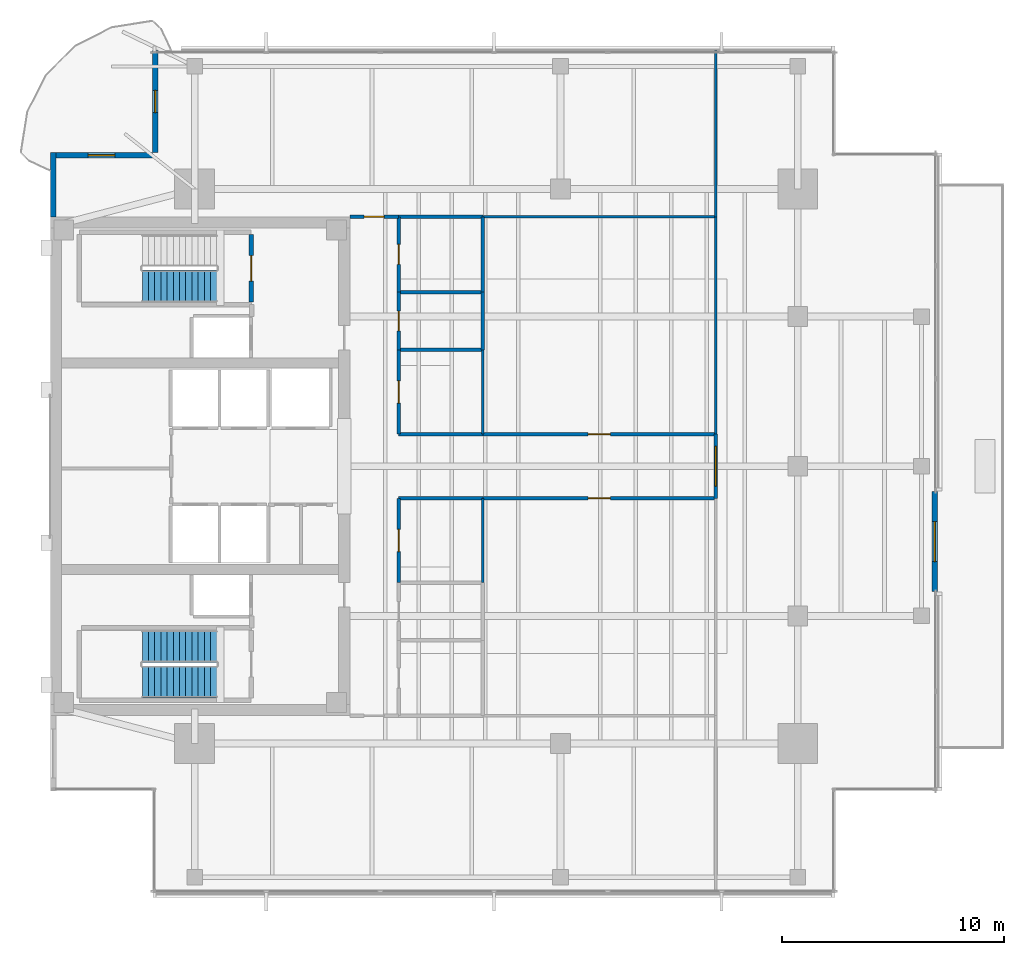
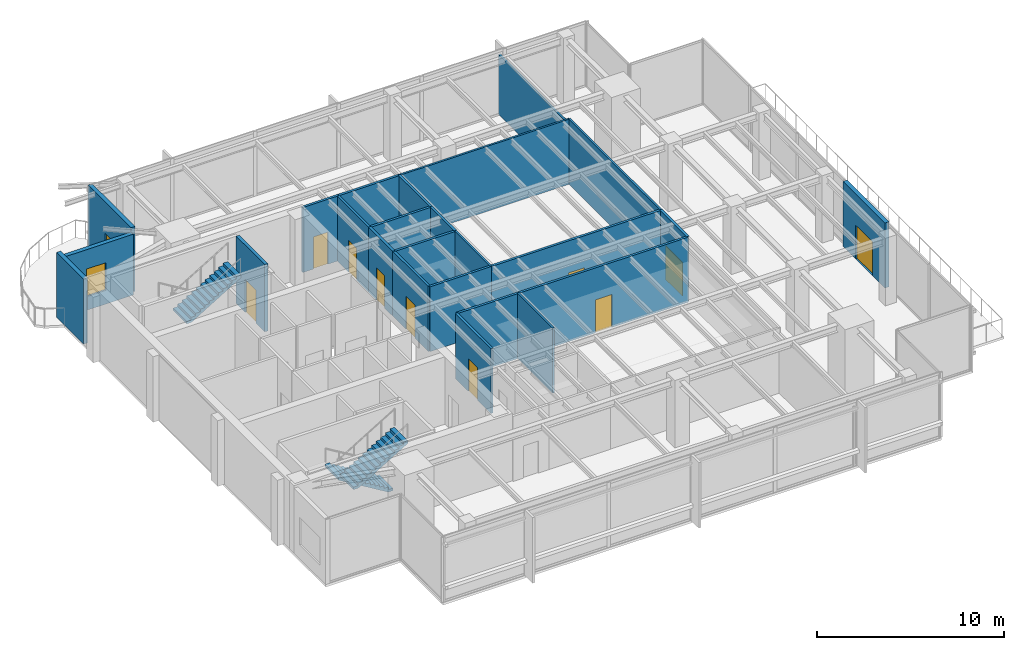
# One storey, part 9 of 14: 25 walls, 11 doors, 3 stair flights, 1 window, 12 openings, 2 elements without a shape of their own.
"""IFC4 building model written with IfcOpenShell, lengths in metres."""

from ifc_helpers import new_model, si_unit, direction, frame, frame_2d, origin, place, context, subcontext, project, spatial, polyline, rectangle, outline, extrude, material, layer, layer_set, type_object, element, fill, aggregate, save


model = new_model("IFC4")

# Units and contexts
model_context = context("Model", 3, precision=1e-05, world=origin(), true_north=direction((0.0, 1.0)))
body_context = subcontext(model_context, "Body", "Model", "MODEL_VIEW")
ifc_project = project(units=[si_unit("LENGTHUNIT", "METRE"), si_unit("AREAUNIT", "SQUARE_METRE"), si_unit("VOLUMEUNIT", "CUBIC_METRE"), si_unit("PLANEANGLEUNIT", "RADIAN"), si_unit("MASSUNIT", "GRAM", prefix="KILO")], contexts=[model_context])

# Site, building, storey
site_placement = place(None, origin())
site = spatial("IfcSite", under=ifc_project, at=site_placement, CompositionType="ELEMENT")
building_placement = place(site_placement, origin())
building = spatial("IfcBuilding", under=site, at=building_placement, Name="Kinhvarn Gate Tower", CompositionType="ELEMENT")
storey_placement = place(building_placement, frame((0.0, 0.0, 244.85009765625)))
storey = spatial("IfcBuildingStorey", under=building, at=storey_placement, Name="L65", CompositionType="ELEMENT", Elevation=244.85009765625)

# Wall
ifc_material_1 = material(Name="Fired architectural terracotta", Category="masonry")
ifc_layer_1 = layer(ifc_material_1, 0.25)
ifc_layer_set_1 = layer_set([ifc_layer_1], Name="Fired architectural terracotta")
wall_type_1 = type_object("IfcWallType", Name="WL-EXT-250", PredefinedType="SOLIDWALL", material=ifc_layer_set_1)
wall_1_placement = place(storey_placement, frame((4.625, 39.39990234375, 0.0), z_axis=(0.0, 0.0, 1.0), x_axis=(0.0, -1.0, 0.0)))
element("IfcWall", 1, at=wall_1_placement, inside=storey, type_object=wall_type_1, Name="Exterior Solidwall Wall EW-250 (L65 West-North)", PredefinedType="SOLIDWALL", context=body_context, shape_type="SweptSolid", body=[
    extrude(rectangle(XDim=2.89990234375, YDim=0.25, at=frame_2d((1.449951171875, 0.0))), origin(), (0.0, 0.0, 1.0), 4.239990234375),
])

# Wall, opening, door
wall_2_placement = place(storey_placement, frame((44.375, 19.60009765625, 0.0), z_axis=(0.0, 0.0, 1.0), x_axis=(0.0, 1.0, 0.0)))
wall_2 = element("IfcWall", 2, at=wall_2_placement, inside=storey, type_object=wall_type_1, Name="Exterior Solidwall Wall EW-250 (L65 Setback-Terrace-Access)", PredefinedType="SOLIDWALL", context=body_context, shape_type="SweptSolid", body=[
    extrude(rectangle(XDim=4.5, YDim=0.25, at=frame_2d((2.25, 0.0))), origin(), (0.0, 0.0, 1.0), 4.239990234375),
])
opening_1_placement = place(wall_2_placement, frame((1.35009765625, 0.0, 0.0)))
opening_1 = element("IfcOpeningElement", 3, at=opening_1_placement, cuts=wall_2, Name="Opening TD-01", PredefinedType="OPENING", context=body_context, shape_type="SweptSolid", body=[
    extrude(rectangle(XDim=1.800048828125, YDim=2.199951171875, at=frame_2d((0.89990234375, 1.10009765625))), frame((0.0, 0.135009765625, 0.0), z_axis=(0.0, -1.0, 0.0), x_axis=(1.0, 0.0, 0.0)), (0.0, 0.0, 1.0), 0.27001953125),
])
ifc_material_2 = material(Name="Clear low-e double glazing", Category="glass")
door_type_1 = type_object("IfcDoorType", Name="DR-TER-1800", OperationType="NOTDEFINED", PredefinedType="DOOR", material=ifc_material_2)
door_1_placement = place(opening_1_placement, frame((1.800048828125, 0.0, 0.0), z_axis=(0.0, 0.0, 1.0), x_axis=(-1.0, 0.0, 0.0)))
door_1 = element("IfcDoor", 4, at=door_1_placement, inside=storey, type_object=door_type_1, Name="Setback Terrace Double Door TD-01 (L65)", OperationType="DOUBLE_DOOR_SINGLE_SWING", OverallHeight=2.199951171875, OverallWidth=1.800048828125, PredefinedType="DOOR", context=body_context, shape_type="SweptSolid", body=[
    extrude(rectangle(XDim=1.800048828125, YDim=2.199951171875, at=frame_2d((0.89990234375, 1.10009765625))), frame((0.0, 0.02490234375, 0.0), z_axis=(0.0, -1.0, 0.0), x_axis=(1.0, 0.0, 0.0)), (0.0, 0.0, 1.0), 0.050048828125),
])
fill(opening_1, door_1)

wall_3_placement = place(storey_placement, frame((9.22509765625, 44.0, 0.0), z_axis=(0.0, 0.0, 1.0), x_axis=(0.0, -1.0, 0.0)))
wall_3 = element("IfcWall", 5, at=wall_3_placement, inside=storey, type_object=wall_type_1, Name="Exterior Solidwall Wall EW-250 (L65 NW-Notch-Door)", PredefinedType="SOLIDWALL", context=body_context, shape_type="SweptSolid", body=[
    extrude(rectangle(XDim=4.60009765625, YDim=0.25, at=frame_2d((2.300048828125, 0.0))), origin(), (0.0, 0.0, 1.0), 4.239990234375),
])
opening_2_placement = place(wall_3_placement, frame((1.800048828125, 0.0, 0.0)))
opening_2 = element("IfcOpeningElement", 6, at=opening_2_placement, cuts=wall_3, Name="Opening BD-01", PredefinedType="OPENING", context=body_context, shape_type="SweptSolid", body=[
    extrude(rectangle(XDim=1.0, YDim=2.199951171875, at=frame_2d((0.5, 1.10009765625))), frame((0.0, 0.135009765625, 0.0), z_axis=(0.0, -1.0, 0.0), x_axis=(1.0, 0.0, 0.0)), (0.0, 0.0, 1.0), 0.27001953125),
])
door_type_2 = type_object("IfcDoorType", Name="DR-BAL-1000", OperationType="NOTDEFINED", PredefinedType="DOOR", material=ifc_material_2)
door_2_placement = place(opening_2_placement, frame((1.0, 0.0, 0.0), z_axis=(0.0, 0.0, 1.0), x_axis=(-1.0, 0.0, 0.0)))
door_2 = element("IfcDoor", 7, at=door_2_placement, inside=storey, type_object=door_type_2, Name="S-Carve Balcony Door BD-01 (L65)", OperationType="SINGLE_SWING_RIGHT", OverallHeight=2.199951171875, OverallWidth=1.0, PredefinedType="DOOR", context=body_context, shape_type="SweptSolid", body=[
    extrude(rectangle(XDim=1.0, YDim=2.199951171875, at=frame_2d((0.5, 1.10009765625))), frame((0.0, 0.02490234375, 0.0), z_axis=(0.0, -1.0, 0.0), x_axis=(1.0, 0.0, 0.0)), (0.0, 0.0, 1.0), 0.050048828125),
])
fill(opening_2, door_2)

# Wall, opening, window
wall_4_placement = place(storey_placement, frame((9.10009765625, 39.27490234375, 0.0), z_axis=(0.0, 0.0, 1.0), x_axis=(-1.0, 0.0, 0.0)))
wall_4 = element("IfcWall", 8, at=wall_4_placement, inside=storey, type_object=wall_type_1, Name="Exterior Solidwall Wall EW-250 (L65 NW-Notch-Win)", PredefinedType="SOLIDWALL", context=body_context, shape_type="SweptSolid", body=[
    extrude(rectangle(XDim=4.60009765625, YDim=0.25, at=frame_2d((2.300048828125, 0.0))), origin(), (0.0, 0.0, 1.0), 3.969970703125),
])
opening_3_placement = place(wall_4_placement, frame((1.699951171875, 0.0, 0.89990234375)))
opening_3 = element("IfcOpeningElement", 9, at=opening_3_placement, cuts=wall_4, Name="Opening WN-02", PredefinedType="OPENING", context=body_context, shape_type="SweptSolid", body=[
    extrude(rectangle(XDim=1.199951171875, YDim=1.800048828125, at=frame_2d((0.60009765625, 0.89990234375))), frame((0.0, 0.135009765625, 0.0), z_axis=(0.0, -1.0, 0.0), x_axis=(1.0, 0.0, 0.0)), (0.0, 0.0, 1.0), 0.27001953125),
])
window_type = type_object("IfcWindowType", Name="WIN-NTC-1200", PartitioningType="SINGLE_PANEL", PredefinedType="WINDOW", material=ifc_material_2)
window_placement = place(opening_3_placement, origin())
window = element("IfcWindow", 10, at=window_placement, inside=storey, type_object=window_type, Name="Recessed Corner Notch Punched Window 1200x1800 mm (L65)", OverallHeight=1.800048828125, OverallWidth=1.199951171875, PartitioningType="SINGLE_PANEL", PredefinedType="WINDOW", context=body_context, shape_type="SweptSolid", body=[
    extrude(rectangle(XDim=1.199951171875, YDim=1.800048828125, at=frame_2d((0.60009765625, 0.89990234375))), frame((0.0, 0.030029296875, 0.0), z_axis=(0.0, -1.0, 0.0), x_axis=(1.0, 0.0, 0.0)), (0.0, 0.0, 1.0), 0.06005859375),
])
fill(opening_3, window)

# Walls
ifc_material_3 = material(Name="Gypsum acoustic partition board")
ifc_layer_2 = layer(ifc_material_3, 0.14990234375)
ifc_layer_set_2 = layer_set([ifc_layer_2], Name="Gypsum acoustic partition board")
wall_type_2 = type_object("IfcWallType", Name="WL-PLM-150", PredefinedType="PLUMBINGWALL", material=ifc_layer_set_2)
for number, where, z_axis, x_axis, name in (
    (11, (20.199951171875, 33.10009765625, 0.0), (0.0, 0.0, 1.0), (1.0, 0.0, 0.0), "Interior Partition PLW-150 (L65)"),
    (12, (20.199951171875, 36.5, 0.0), (0.0, 0.0, 1.0), (1.0, 0.0, 0.0), "Interior Partition PLW-150 (L65)"),
):
    element("IfcWall", number, at=place(storey_placement, frame(where, z_axis=z_axis, x_axis=x_axis)), inside=storey, type_object=wall_type_2, Name=name, PredefinedType="PLUMBINGWALL", context=body_context, shape_type="SweptSolid", body=[
        extrude(rectangle(XDim=3.800048828125, YDim=0.14990234375, at=frame_2d((1.89990234375, 0.0))), origin(), (0.0, 0.0, 1.0), 4.239990234375),
    ])
wall_5_placement = place(storey_placement, frame((24.0, 33.10009765625, 0.0), z_axis=(0.0, 0.0, 1.0), x_axis=(0.0, 1.0, 0.0)))
element("IfcWall", 13, at=wall_5_placement, inside=storey, type_object=wall_type_2, Name="Interior Partition PLW-150 (L65)", PredefinedType="PLUMBINGWALL", context=body_context, shape_type="SweptSolid", body=[
    extrude(rectangle(XDim=3.39990234375, YDim=0.14990234375, at=frame_2d((1.699951171875, 0.0))), origin(), (0.0, 0.0, 1.0), 4.239990234375),
])
wall_6_placement = place(storey_placement, frame((24.0, 30.5, 0.0), z_axis=(0.0, 0.0, 1.0), x_axis=(0.0, 1.0, 0.0)))
element("IfcWall", 14, at=wall_6_placement, inside=storey, type_object=wall_type_2, Name="Interior Partition PLW-150 (L65)", PredefinedType="PLUMBINGWALL", context=body_context, shape_type="SweptSolid", body=[
    extrude(rectangle(XDim=2.60009765625, YDim=0.14990234375, at=frame_2d((1.300048828125, 0.0))), origin(), (0.0, 0.0, 1.0), 4.239990234375),
])
wall_7_placement = place(storey_placement, frame((20.199951171875, 30.5, 0.0), z_axis=(0.0, 0.0, 1.0), x_axis=(1.0, 0.0, 0.0)))
element("IfcWall", 15, at=wall_7_placement, inside=storey, type_object=wall_type_2, Name="Interior Partition PLW-150 (L65)", PredefinedType="PLUMBINGWALL", context=body_context, shape_type="SweptSolid", body=[
    extrude(rectangle(XDim=3.800048828125, YDim=0.14990234375, at=frame_2d((1.89990234375, 0.0))), origin(), (0.0, 0.0, 1.0), 4.239990234375),
])

# Wall, opening, door
ifc_layer_3 = layer(ifc_material_3, 0.14990234375)
ifc_layer_set_3 = layer_set([ifc_layer_3], Name="Gypsum acoustic partition board")
wall_type_3 = type_object("IfcWallType", Name="WL-PLM-150F", PredefinedType="PLUMBINGWALL", material=ifc_layer_set_3)
wall_8_placement = place(storey_placement, frame((20.199951171875, 33.10009765625, 0.0), z_axis=(0.0, 0.0, 1.0), x_axis=(0.0, 1.0, 0.0)))
wall_8 = element("IfcWall", 16, at=wall_8_placement, inside=storey, type_object=wall_type_3, Name="Interior Partition PLW-150F (L65)", PredefinedType="PLUMBINGWALL", context=body_context, shape_type="SweptSolid", body=[
    extrude(rectangle(XDim=3.39990234375, YDim=0.14990234375, at=frame_2d((1.699951171875, 0.0))), origin(), (0.0, 0.0, 1.0), 4.239990234375),
])
opening_4_placement = place(wall_8_placement, frame((1.25, 0.0, 0.0)))
opening_4 = element("IfcOpeningElement", 17, at=opening_4_placement, cuts=wall_8, Name="Opening FD-04", PredefinedType="OPENING", context=body_context, shape_type="SweptSolid", body=[
    extrude(rectangle(XDim=0.89990234375, YDim=2.10009765625, at=frame_2d((0.449951171875, 1.050048828125))), frame((0.0, 0.0849609375, 0.0), z_axis=(0.0, -1.0, 0.0), x_axis=(1.0, 0.0, 0.0)), (0.0, 0.0, 1.0), 0.169921875),
])
ifc_material_4 = material(Name="Anodised aluminium AW-6063", Category="aluminium")
door_type_3 = type_object("IfcDoorType", Name="DR-FD-900", OperationType="NOTDEFINED", PredefinedType="DOOR", material=ifc_material_4)
door_3_placement = place(opening_4_placement, origin())
door_3 = element("IfcDoor", 18, at=door_3_placement, inside=storey, type_object=door_type_3, Name="Rated Riser & Service Closet Fire Door 900x2100 mm (L65)", OperationType="SINGLE_SWING_LEFT", OverallHeight=2.10009765625, OverallWidth=0.89990234375, PredefinedType="DOOR", context=body_context, shape_type="SweptSolid", body=[
    extrude(rectangle(XDim=0.89990234375, YDim=2.10009765625, at=frame_2d((0.449951171875, 1.050048828125))), frame((0.0, 0.02490234375, 0.0), z_axis=(0.0, -1.0, 0.0), x_axis=(1.0, 0.0, 0.0)), (0.0, 0.0, 1.0), 0.050048828125),
])
fill(opening_4, door_3)

wall_9_placement = place(storey_placement, frame((20.199951171875, 30.5, 0.0), z_axis=(0.0, 0.0, 1.0), x_axis=(0.0, 1.0, 0.0)))
wall_9 = element("IfcWall", 19, at=wall_9_placement, inside=storey, type_object=wall_type_3, Name="Interior Partition PLW-150F (L65)", PredefinedType="PLUMBINGWALL", context=body_context, shape_type="SweptSolid", body=[
    extrude(rectangle(XDim=2.60009765625, YDim=0.14990234375, at=frame_2d((1.300048828125, 0.0))), origin(), (0.0, 0.0, 1.0), 4.239990234375),
])
opening_5_placement = place(wall_9_placement, frame((0.85009765625, 0.0, 0.0)))
opening_5 = element("IfcOpeningElement", 20, at=opening_5_placement, cuts=wall_9, Name="Opening FD-04", PredefinedType="OPENING", context=body_context, shape_type="SweptSolid", body=[
    extrude(rectangle(XDim=0.89990234375, YDim=2.10009765625, at=frame_2d((0.449951171875, 1.050048828125))), frame((0.0, 0.0849609375, 0.0), z_axis=(0.0, -1.0, 0.0), x_axis=(1.0, 0.0, 0.0)), (0.0, 0.0, 1.0), 0.169921875),
])
door_4_placement = place(opening_5_placement, origin())
door_4 = element("IfcDoor", 21, at=door_4_placement, inside=storey, type_object=door_type_3, Name="Rated Riser & Service Closet Fire Door 900x2100 mm (L65)", OperationType="SINGLE_SWING_LEFT", OverallHeight=2.10009765625, OverallWidth=0.89990234375, PredefinedType="DOOR", context=body_context, shape_type="SweptSolid", body=[
    extrude(rectangle(XDim=0.89990234375, YDim=2.10009765625, at=frame_2d((0.449951171875, 1.050048828125))), frame((0.0, 0.02490234375, 0.0), z_axis=(0.0, -1.0, 0.0), x_axis=(1.0, 0.0, 0.0)), (0.0, 0.0, 1.0), 0.050048828125),
])
fill(opening_5, door_4)

# Walls
ifc_layer_4 = layer(ifc_material_3, 0.1201171875)
ifc_layer_set_4 = layer_set([ifc_layer_4], Name="Gypsum acoustic partition board")
wall_type_4 = type_object("IfcWallType", Name="WL-PRT-120", PredefinedType="PARTITIONING", material=ifc_layer_set_4)
wall_10_placement = place(storey_placement, frame((24.0, 36.5, 0.0), z_axis=(0.0, 0.0, 1.0), x_axis=(1.0, 0.0, 0.0)))
element("IfcWall", 22, at=wall_10_placement, inside=storey, type_object=wall_type_4, Name="Interior Partition PW-120 (L65)", PredefinedType="PARTITIONING", context=body_context, shape_type="SweptSolid", body=[
    extrude(rectangle(XDim=10.5, YDim=0.1201171875, at=frame_2d((5.25, 0.0))), origin(), (0.0, 0.0, 1.0), 4.239990234375),
])
wall_11_placement = place(storey_placement, frame((34.5, 36.5, 0.0), z_axis=(0.0, 0.0, 1.0), x_axis=(0.0, 1.0, 0.0)))
element("IfcWall", 23, at=wall_11_placement, inside=storey, type_object=wall_type_4, Name="Interior Partition PW-120 (L65)", PredefinedType="PARTITIONING", context=body_context, shape_type="SweptSolid", body=[
    extrude(rectangle(XDim=7.489990234375, YDim=0.1201171875, at=frame_2d((3.7451171875, 0.0))), origin(), (0.0, 0.0, 1.0), 3.909912109375),
])
wall_12_placement = place(storey_placement, frame((24.0, 20.0, 0.0), z_axis=(0.0, 0.0, 1.0), x_axis=(0.0, 1.0, 0.0)))
element("IfcWall", 24, at=wall_12_placement, inside=storey, type_object=wall_type_4, Name="Interior Partition PW-120 (L65)", PredefinedType="PARTITIONING", context=body_context, shape_type="SweptSolid", body=[
    extrude(rectangle(XDim=3.800048828125, YDim=0.1201171875, at=frame_2d((1.89990234375, 0.0))), origin(), (0.0, 0.0, 1.0), 4.239990234375),
])
wall_13_placement = place(storey_placement, frame((34.5, 26.699951171875, 0.0), z_axis=(0.0, 0.0, 1.0), x_axis=(0.0, 1.0, 0.0)))
element("IfcWall", 25, at=wall_13_placement, inside=storey, type_object=wall_type_4, Name="Interior Partition PW-120 (L65)", PredefinedType="PARTITIONING", context=body_context, shape_type="SweptSolid", body=[
    extrude(rectangle(XDim=9.800048828125, YDim=0.1201171875, at=frame_2d((4.89990234375, 0.0))), origin(), (0.0, 0.0, 1.0), 4.239990234375),
])
wall_14_placement = place(storey_placement, frame((24.0, 26.699951171875, 0.0), z_axis=(0.0, 0.0, 1.0), x_axis=(0.0, 1.0, 0.0)))
element("IfcWall", 26, at=wall_14_placement, inside=storey, type_object=wall_type_4, Name="Interior Partition PW-120 (L65)", PredefinedType="PARTITIONING", context=body_context, shape_type="SweptSolid", body=[
    extrude(rectangle(XDim=3.800048828125, YDim=0.1201171875, at=frame_2d((1.89990234375, 0.0))), origin(), (0.0, 0.0, 1.0), 4.239990234375),
])

# Wall, opening, door
ifc_layer_5 = layer(ifc_material_3, 0.14990234375)
ifc_layer_set_5 = layer_set([ifc_layer_5], Name="Gypsum acoustic partition board")
wall_type_5 = type_object("IfcWallType", Name="WL-PRT-150F", PredefinedType="PARTITIONING", material=ifc_layer_set_5)
wall_15_placement = place(storey_placement, frame((18.0, 36.5, 0.0), z_axis=(0.0, 0.0, 1.0), x_axis=(1.0, 0.0, 0.0)))
wall_15 = element("IfcWall", 27, at=wall_15_placement, inside=storey, type_object=wall_type_5, Name="Interior Partition PW-150F (L65)", PredefinedType="PARTITIONING", context=body_context, shape_type="SweptSolid", body=[
    extrude(rectangle(XDim=2.199951171875, YDim=0.14990234375, at=frame_2d((1.10009765625, 0.0))), origin(), (0.0, 0.0, 1.0), 4.239990234375),
])
opening_6_placement = place(wall_15_placement, frame((0.64990234375, 0.0, 0.0)))
opening_6 = element("IfcOpeningElement", 28, at=opening_6_placement, cuts=wall_15, Name="Opening ID-03", PredefinedType="OPENING", context=body_context, shape_type="SweptSolid", body=[
    extrude(rectangle(XDim=0.89990234375, YDim=2.10009765625, at=frame_2d((0.449951171875, 1.050048828125))), frame((0.0, 0.0849609375, 0.0), z_axis=(0.0, -1.0, 0.0), x_axis=(1.0, 0.0, 0.0)), (0.0, 0.0, 1.0), 0.169921875),
])
door_type_4 = type_object("IfcDoorType", Name="DR-INT-900", OperationType="NOTDEFINED", PredefinedType="DOOR", material=ifc_material_4)
door_5_placement = place(opening_6_placement, origin())
door_5 = element("IfcDoor", 29, at=door_5_placement, inside=storey, type_object=door_type_4, Name="Cellular Office & Restroom Door 900x2100 mm (L65)", OperationType="SINGLE_SWING_LEFT", OverallHeight=2.10009765625, OverallWidth=0.89990234375, PredefinedType="DOOR", context=body_context, shape_type="SweptSolid", body=[
    extrude(rectangle(XDim=0.89990234375, YDim=2.10009765625, at=frame_2d((0.449951171875, 1.050048828125))), frame((0.0, 0.02490234375, 0.0), z_axis=(0.0, -1.0, 0.0), x_axis=(1.0, 0.0, 0.0)), (0.0, 0.0, 1.0), 0.050048828125),
])
fill(opening_6, door_5)

wall_16_placement = place(storey_placement, frame((20.199951171875, 20.0, 0.0), z_axis=(0.0, 0.0, 1.0), x_axis=(0.0, 1.0, 0.0)))
wall_16 = element("IfcWall", 30, at=wall_16_placement, inside=storey, type_object=wall_type_5, Name="Interior Partition PW-150F (L65)", PredefinedType="PARTITIONING", context=body_context, shape_type="SweptSolid", body=[
    extrude(rectangle(XDim=3.800048828125, YDim=0.14990234375, at=frame_2d((1.89990234375, 0.0))), origin(), (0.0, 0.0, 1.0), 4.239990234375),
])
opening_7_placement = place(wall_16_placement, frame((1.39990234375, 0.0, 0.0)))
opening_7 = element("IfcOpeningElement", 31, at=opening_7_placement, cuts=wall_16, Name="Opening ID-02", PredefinedType="OPENING", context=body_context, shape_type="SweptSolid", body=[
    extrude(rectangle(XDim=1.0, YDim=2.14990234375, at=frame_2d((0.5, 1.074951171875))), frame((0.0, 0.0849609375, 0.0), z_axis=(0.0, -1.0, 0.0), x_axis=(1.0, 0.0, 0.0)), (0.0, 0.0, 1.0), 0.169921875),
])
door_type_5 = type_object("IfcDoorType", Name="DR-INT-1000", OperationType="NOTDEFINED", PredefinedType="DOOR", material=ifc_material_4)
door_6_placement = place(opening_7_placement, origin())
door_6 = element("IfcDoor", 32, at=door_6_placement, inside=storey, type_object=door_type_5, Name="Standard Office & Meeting Room Door 1000x2150 mm (L65)", OperationType="SINGLE_SWING_RIGHT", OverallHeight=2.14990234375, OverallWidth=1.0, PredefinedType="DOOR", context=body_context, shape_type="SweptSolid", body=[
    extrude(rectangle(XDim=1.0, YDim=2.14990234375, at=frame_2d((0.5, 1.074951171875))), frame((0.0, 0.02490234375, 0.0), z_axis=(0.0, -1.0, 0.0), x_axis=(1.0, 0.0, 0.0)), (0.0, 0.0, 1.0), 0.050048828125),
])
fill(opening_7, door_6)

wall_17_placement = place(storey_placement, frame((20.199951171875, 26.699951171875, 0.0), z_axis=(0.0, 0.0, 1.0), x_axis=(0.0, 1.0, 0.0)))
wall_17 = element("IfcWall", 33, at=wall_17_placement, inside=storey, type_object=wall_type_5, Name="Interior Partition PW-150F (L65)", PredefinedType="PARTITIONING", context=body_context, shape_type="SweptSolid", body=[
    extrude(rectangle(XDim=3.800048828125, YDim=0.14990234375, at=frame_2d((1.89990234375, 0.0))), origin(), (0.0, 0.0, 1.0), 4.239990234375),
])
opening_8_placement = place(wall_17_placement, frame((1.39990234375, 0.0, 0.0)))
opening_8 = element("IfcOpeningElement", 34, at=opening_8_placement, cuts=wall_17, Name="Opening ID-02", PredefinedType="OPENING", context=body_context, shape_type="SweptSolid", body=[
    extrude(rectangle(XDim=1.0, YDim=2.14990234375, at=frame_2d((0.5, 1.074951171875))), frame((0.0, 0.0849609375, 0.0), z_axis=(0.0, -1.0, 0.0), x_axis=(1.0, 0.0, 0.0)), (0.0, 0.0, 1.0), 0.169921875),
])
door_7_placement = place(opening_8_placement, origin())
door_7 = element("IfcDoor", 35, at=door_7_placement, inside=storey, type_object=door_type_5, Name="Standard Office & Meeting Room Door 1000x2150 mm (L65)", OperationType="SINGLE_SWING_LEFT", OverallHeight=2.14990234375, OverallWidth=1.0, PredefinedType="DOOR", context=body_context, shape_type="SweptSolid", body=[
    extrude(rectangle(XDim=1.0, YDim=2.14990234375, at=frame_2d((0.5, 1.074951171875))), frame((0.0, 0.02490234375, 0.0), z_axis=(0.0, -1.0, 0.0), x_axis=(1.0, 0.0, 0.0)), (0.0, 0.0, 1.0), 0.050048828125),
])
fill(opening_8, door_7)

wall_18_placement = place(storey_placement, frame((24.0, 23.800048828125, 0.0), z_axis=(0.0, 0.0, 1.0), x_axis=(1.0, 0.0, 0.0)))
wall_18 = element("IfcWall", 36, at=wall_18_placement, inside=storey, type_object=wall_type_5, Name="Interior Partition PW-150F (L65)", PredefinedType="PARTITIONING", context=body_context, shape_type="SweptSolid", body=[
    extrude(rectangle(XDim=10.5, YDim=0.14990234375, at=frame_2d((5.25, 0.0))), origin(), (0.0, 0.0, 1.0), 4.239990234375),
])
opening_9_placement = place(wall_18_placement, frame((4.75, 0.0, 0.0)))
opening_9 = element("IfcOpeningElement", 37, at=opening_9_placement, cuts=wall_18, Name="Opening ID-02", PredefinedType="OPENING", context=body_context, shape_type="SweptSolid", body=[
    extrude(rectangle(XDim=1.0, YDim=2.14990234375, at=frame_2d((0.5, 1.074951171875))), frame((0.0, 0.0849609375, 0.0), z_axis=(0.0, -1.0, 0.0), x_axis=(1.0, 0.0, 0.0)), (0.0, 0.0, 1.0), 0.169921875),
])
door_8_placement = place(opening_9_placement, origin())
door_8 = element("IfcDoor", 38, at=door_8_placement, inside=storey, type_object=door_type_5, Name="Standard Office & Meeting Room Door 1000x2150 mm (L65)", OperationType="SINGLE_SWING_RIGHT", OverallHeight=2.14990234375, OverallWidth=1.0, PredefinedType="DOOR", context=body_context, shape_type="SweptSolid", body=[
    extrude(rectangle(XDim=1.0, YDim=2.14990234375, at=frame_2d((0.5, 1.074951171875))), frame((0.0, 0.02490234375, 0.0), z_axis=(0.0, -1.0, 0.0), x_axis=(1.0, 0.0, 0.0)), (0.0, 0.0, 1.0), 0.050048828125),
])
fill(opening_9, door_8)

wall_19_placement = place(storey_placement, frame((24.0, 26.699951171875, 0.0), z_axis=(0.0, 0.0, 1.0), x_axis=(1.0, 0.0, 0.0)))
wall_19 = element("IfcWall", 39, at=wall_19_placement, inside=storey, type_object=wall_type_5, Name="Interior Partition PW-150F (L65)", PredefinedType="PARTITIONING", context=body_context, shape_type="SweptSolid", body=[
    extrude(rectangle(XDim=10.5, YDim=0.14990234375, at=frame_2d((5.25, 0.0))), origin(), (0.0, 0.0, 1.0), 4.239990234375),
])
opening_10_placement = place(wall_19_placement, frame((4.75, 0.0, 0.0)))
opening_10 = element("IfcOpeningElement", 40, at=opening_10_placement, cuts=wall_19, Name="Opening ID-02", PredefinedType="OPENING", context=body_context, shape_type="SweptSolid", body=[
    extrude(rectangle(XDim=1.0, YDim=2.14990234375, at=frame_2d((0.5, 1.074951171875))), frame((0.0, 0.0849609375, 0.0), z_axis=(0.0, -1.0, 0.0), x_axis=(1.0, 0.0, 0.0)), (0.0, 0.0, 1.0), 0.169921875),
])
door_9_placement = place(opening_10_placement, origin())
door_9 = element("IfcDoor", 41, at=door_9_placement, inside=storey, type_object=door_type_5, Name="Standard Office & Meeting Room Door 1000x2150 mm (L65)", OperationType="SINGLE_SWING_LEFT", OverallHeight=2.14990234375, OverallWidth=1.0, PredefinedType="DOOR", context=body_context, shape_type="SweptSolid", body=[
    extrude(rectangle(XDim=1.0, YDim=2.14990234375, at=frame_2d((0.5, 1.074951171875))), frame((0.0, 0.02490234375, 0.0), z_axis=(0.0, -1.0, 0.0), x_axis=(1.0, 0.0, 0.0)), (0.0, 0.0, 1.0), 0.050048828125),
])
fill(opening_10, door_9)

wall_20_placement = place(storey_placement, frame((34.5, 23.800048828125, 0.0), z_axis=(0.0, 0.0, 1.0), x_axis=(0.0, 1.0, 0.0)))
wall_20 = element("IfcWall", 42, at=wall_20_placement, inside=storey, type_object=wall_type_5, Name="Interior Partition PW-150F (L65)", PredefinedType="PARTITIONING", context=body_context, shape_type="SweptSolid", body=[
    extrude(rectangle(XDim=2.89990234375, YDim=0.14990234375, at=frame_2d((1.449951171875, 0.0))), origin(), (0.0, 0.0, 1.0), 4.239990234375),
])
opening_11_placement = place(wall_20_placement, frame((0.550048828125, 0.0, 0.0)))
opening_11 = element("IfcOpeningElement", 43, at=opening_11_placement, cuts=wall_20, Name="Opening ID-04", PredefinedType="OPENING", context=body_context, shape_type="SweptSolid", body=[
    extrude(rectangle(XDim=1.800048828125, YDim=2.199951171875, at=frame_2d((0.89990234375, 1.10009765625))), frame((0.0, 0.0849609375, 0.0), z_axis=(0.0, -1.0, 0.0), x_axis=(1.0, 0.0, 0.0)), (0.0, 0.0, 1.0), 0.169921875),
])
door_type_6 = type_object("IfcDoorType", Name="DR-GLZ-1800", OperationType="NOTDEFINED", PredefinedType="DOOR", material=ifc_material_2)
door_10_placement = place(opening_11_placement, origin())
door_10 = element("IfcDoor", 44, at=door_10_placement, inside=storey, type_object=door_type_6, Name="Double Glazed Forum & Sky-Lobby Door 1800x2200 mm (L65)", OperationType="DOUBLE_DOOR_SINGLE_SWING", OverallHeight=2.199951171875, OverallWidth=1.800048828125, PredefinedType="DOOR", context=body_context, shape_type="SweptSolid", body=[
    extrude(rectangle(XDim=1.800048828125, YDim=2.199951171875, at=frame_2d((0.89990234375, 1.10009765625))), frame((0.0, 0.02490234375, 0.0), z_axis=(0.0, -1.0, 0.0), x_axis=(1.0, 0.0, 0.0)), (0.0, 0.0, 1.0), 0.050048828125),
])
fill(opening_11, door_10)

# Walls
for number, where, z_axis, x_axis, name in (
    (45, (20.199951171875, 23.800048828125, 0.0), (0.0, 0.0, 1.0), (1.0, 0.0, 0.0), "Interior Partition PW-150F (L65)"),
    (46, (20.199951171875, 26.699951171875, 0.0), (0.0, 0.0, 1.0), (1.0, 0.0, 0.0), "Interior Partition PW-150F (L65)"),
):
    element("IfcWall", number, at=place(storey_placement, frame(where, z_axis=z_axis, x_axis=x_axis)), inside=storey, type_object=wall_type_5, Name=name, PredefinedType="PARTITIONING", context=body_context, shape_type="SweptSolid", body=[
        extrude(rectangle(XDim=3.800048828125, YDim=0.14990234375, at=frame_2d((1.89990234375, 0.0))), origin(), (0.0, 0.0, 1.0), 4.239990234375),
    ])

# Wall, opening, door
ifc_material_5 = material(Name="Concrete C40/50", Category="concrete")
ifc_layer_6 = layer(ifc_material_5, 0.199951171875)
ifc_layer_set_6 = layer_set([ifc_layer_6], Name="Concrete C40/50")
wall_type_6 = type_object("IfcWallType", Name="WL-SHF-200", PredefinedType="SOLIDWALL", material=ifc_layer_set_6)
wall_21_placement = place(storey_placement, frame((13.56005859375, 32.64990234375, 0.0), z_axis=(0.0, 0.0, 1.0), x_axis=(0.0, 1.0, 0.0)))
wall_21 = element("IfcWall", 47, at=wall_21_placement, inside=storey, type_object=wall_type_6, Name="Stair ST2 East Entry Wall (L65)", PredefinedType="SOLIDWALL", context=body_context, shape_type="SweptSolid", body=[
    extrude(rectangle(XDim=3.050048828125, YDim=0.199951171875, at=frame_2d((1.52490234375, 0.0))), origin(), (0.0, 0.0, 1.0), 4.39990234375),
])
opening_12_placement = place(wall_21_placement, frame((0.949951171875, 0.0, 0.0)))
opening_12 = element("IfcOpeningElement", 48, at=opening_12_placement, cuts=wall_21, Name="Opening FD-01", PredefinedType="OPENING", context=body_context, shape_type="SweptSolid", body=[
    extrude(rectangle(XDim=1.14990234375, YDim=2.14990234375, at=frame_2d((0.574951171875, 1.074951171875))), frame((0.0, 0.10986328125, 0.0), z_axis=(0.0, -1.0, 0.0), x_axis=(1.0, 0.0, 0.0)), (0.0, 0.0, 1.0), 0.219970703125),
])
door_type_7 = type_object("IfcDoorType", Name="DR-ST-1150", OperationType="NOTDEFINED", PredefinedType="DOOR", material=ifc_material_4)
door_11_placement = place(opening_12_placement, origin())
door_11 = element("IfcDoor", 49, at=door_11_placement, inside=storey, type_object=door_type_7, Name="Exit Stair ST2 Fire Door (L65)", OperationType="SINGLE_SWING_RIGHT", OverallHeight=2.14990234375, OverallWidth=1.14990234375, PredefinedType="DOOR", context=body_context, shape_type="SweptSolid", body=[
    extrude(rectangle(XDim=1.14990234375, YDim=2.14990234375, at=frame_2d((0.574951171875, 1.074951171875))), frame((0.0, 0.02490234375, 0.0), z_axis=(0.0, -1.0, 0.0), x_axis=(1.0, 0.0, 0.0)), (0.0, 0.0, 1.0), 0.050048828125),
])
fill(opening_12, door_11)

# Stair, stair flights
stair_type = type_object("IfcStairType", Name="STR-DLG-169", PredefinedType="HALF_TURN_STAIR", material=ifc_material_5)
stair_1_placement = place(storey_placement, origin())
stair_1 = element("IfcStair", 50, at=stair_1_placement, inside=storey, type_object=stair_type, Name="L65 Core Smokeproof Exit Stair ST1", PredefinedType="HALF_TURN_STAIR")
stair_flight_type = type_object("IfcStairFlightType", Name="STF-DLG-169", PredefinedType="STRAIGHT", material=ifc_material_5)
stair_flight_1_placement = place(storey_placement, frame((12.0, 17.125, 0.0), z_axis=(0.0, 0.0, 1.0), x_axis=(-1.0, 0.0, 0.0)))
stair_flight_1 = element("IfcStairFlight", 51, at=stair_flight_1_placement, type_object=stair_flight_type, Name="ST1 flight 1", NumberOfRisers=13, NumberOfTreads=12, PredefinedType="STRAIGHT", RiserHeight=0.169230769, TreadLength=0.28, context=body_context, shape_type="SweptSolid", body=[
    extrude(outline(polyline([(0.0, 0.0), (0.0, 0.169189453125), (0.280029296875, 0.169189453125), (0.280029296875, 0.33837890625), (0.56005859375, 0.33837890625), (0.56005859375, 0.5078125), (0.840087890625, 0.5078125), (0.840087890625, 0.677001953125), (1.1201171875, 0.677001953125), (1.1201171875, 0.84619140625), (1.39990234375, 0.84619140625), (1.39990234375, 1.015380859375), (1.679931640625, 1.015380859375), (1.679931640625, 1.1845703125), (1.9599609375, 1.1845703125), (1.9599609375, 1.353759765625), (2.239990234375, 1.353759765625), (2.239990234375, 1.523193359375), (2.52001953125, 1.523193359375), (2.52001953125, 1.6923828125), (2.800048828125, 1.6923828125), (2.800048828125, 1.861572265625), (3.080078125, 1.861572265625), (3.080078125, 2.03076171875), (3.360107421875, 2.03076171875), (3.360107421875, 2.199951171875), (3.360107421875, 1.855712890625), (0.289794921875, 0.0), (0.0, 0.0)])), frame((0.0, 0.72509765625, 0.0), z_axis=(0.0, -1.0, 0.0), x_axis=(1.0, 0.0, 0.0)), (0.0, 0.0, 1.0), 1.449951171875),
])
stair_flight_2_placement = place(storey_placement, frame((8.639892578125, 15.52490234375, 2.199951171875), z_axis=(0.0, 0.0, 1.0), x_axis=(1.0, 0.0, 0.0)))
stair_flight_2 = element("IfcStairFlight", 52, at=stair_flight_2_placement, type_object=stair_flight_type, Name="ST1 flight 2", NumberOfRisers=13, NumberOfTreads=12, PredefinedType="STRAIGHT", RiserHeight=0.169230769, TreadLength=0.28, context=body_context, shape_type="SweptSolid", body=[
    extrude(outline(polyline([(0.0, 0.0), (0.0, 0.169189453125), (0.280029296875, 0.169189453125), (0.280029296875, 0.33837890625), (0.56005859375, 0.33837890625), (0.56005859375, 0.5078125), (0.840087890625, 0.5078125), (0.840087890625, 0.677001953125), (1.1201171875, 0.677001953125), (1.1201171875, 0.84619140625), (1.39990234375, 0.84619140625), (1.39990234375, 1.015380859375), (1.679931640625, 1.015380859375), (1.679931640625, 1.1845703125), (1.9599609375, 1.1845703125), (1.9599609375, 1.353759765625), (2.239990234375, 1.353759765625), (2.239990234375, 1.523193359375), (2.52001953125, 1.523193359375), (2.52001953125, 1.6923828125), (2.800048828125, 1.6923828125), (2.800048828125, 1.861572265625), (3.080078125, 1.861572265625), (3.080078125, 2.03076171875), (3.360107421875, 2.03076171875), (3.360107421875, 2.199951171875), (3.360107421875, 1.855712890625), (0.289794921875, 0.0), (0.0, 0.0)])), frame((0.0, 0.72509765625, 0.0), z_axis=(0.0, -1.0, 0.0), x_axis=(1.0, 0.0, 0.0)), (0.0, 0.0, 1.0), 1.449951171875),
])
aggregate(stair_1, [stair_flight_1, stair_flight_2])

# Stair, stair flight
stair_2_placement = place(storey_placement, origin())
stair_2 = element("IfcStair", 53, at=stair_2_placement, inside=storey, type_object=stair_type, Name="L65 Core Smokeproof Exit Stair ST2", PredefinedType="HALF_TURN_STAIR")
stair_flight_3_placement = place(storey_placement, frame((8.639892578125, 33.375, 2.199951171875), z_axis=(0.0, 0.0, 1.0), x_axis=(1.0, 0.0, 0.0)))
stair_flight_3 = element("IfcStairFlight", 54, at=stair_flight_3_placement, type_object=stair_flight_type, Name="ST2 flight 2", NumberOfRisers=13, NumberOfTreads=12, PredefinedType="STRAIGHT", RiserHeight=0.169230769, TreadLength=0.28, context=body_context, shape_type="SweptSolid", body=[
    extrude(outline(polyline([(0.0, 0.0), (0.0, 0.169189453125), (0.280029296875, 0.169189453125), (0.280029296875, 0.33837890625), (0.56005859375, 0.33837890625), (0.56005859375, 0.5078125), (0.840087890625, 0.5078125), (0.840087890625, 0.677001953125), (1.1201171875, 0.677001953125), (1.1201171875, 0.84619140625), (1.39990234375, 0.84619140625), (1.39990234375, 1.015380859375), (1.679931640625, 1.015380859375), (1.679931640625, 1.1845703125), (1.9599609375, 1.1845703125), (1.9599609375, 1.353759765625), (2.239990234375, 1.353759765625), (2.239990234375, 1.523193359375), (2.52001953125, 1.523193359375), (2.52001953125, 1.6923828125), (2.800048828125, 1.6923828125), (2.800048828125, 1.861572265625), (3.080078125, 1.861572265625), (3.080078125, 2.03076171875), (3.360107421875, 2.03076171875), (3.360107421875, 2.199951171875), (3.360107421875, 1.855712890625), (0.289794921875, 0.0), (0.0, 0.0)])), frame((0.0, 0.72509765625, 0.0), z_axis=(0.0, -1.0, 0.0), x_axis=(1.0, 0.0, 0.0)), (0.0, 0.0, 1.0), 1.449951171875),
])
aggregate(stair_2, [stair_flight_3])

save(model, "model.ifc")
